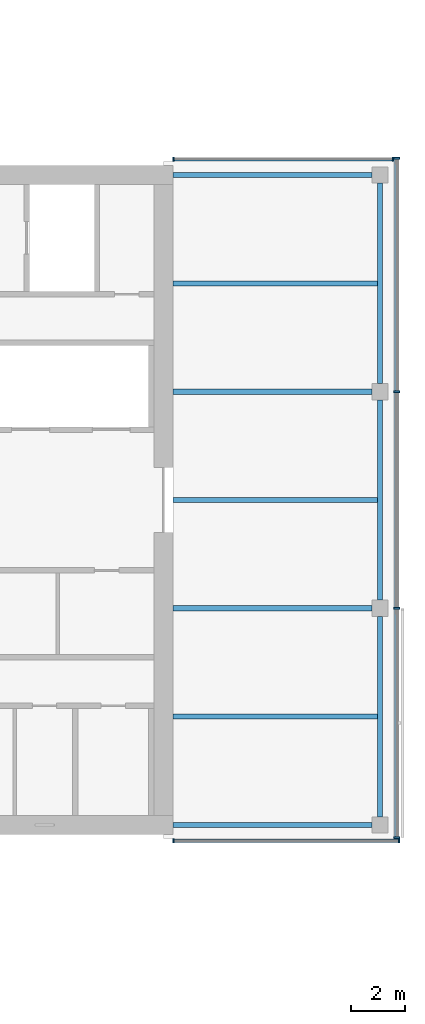
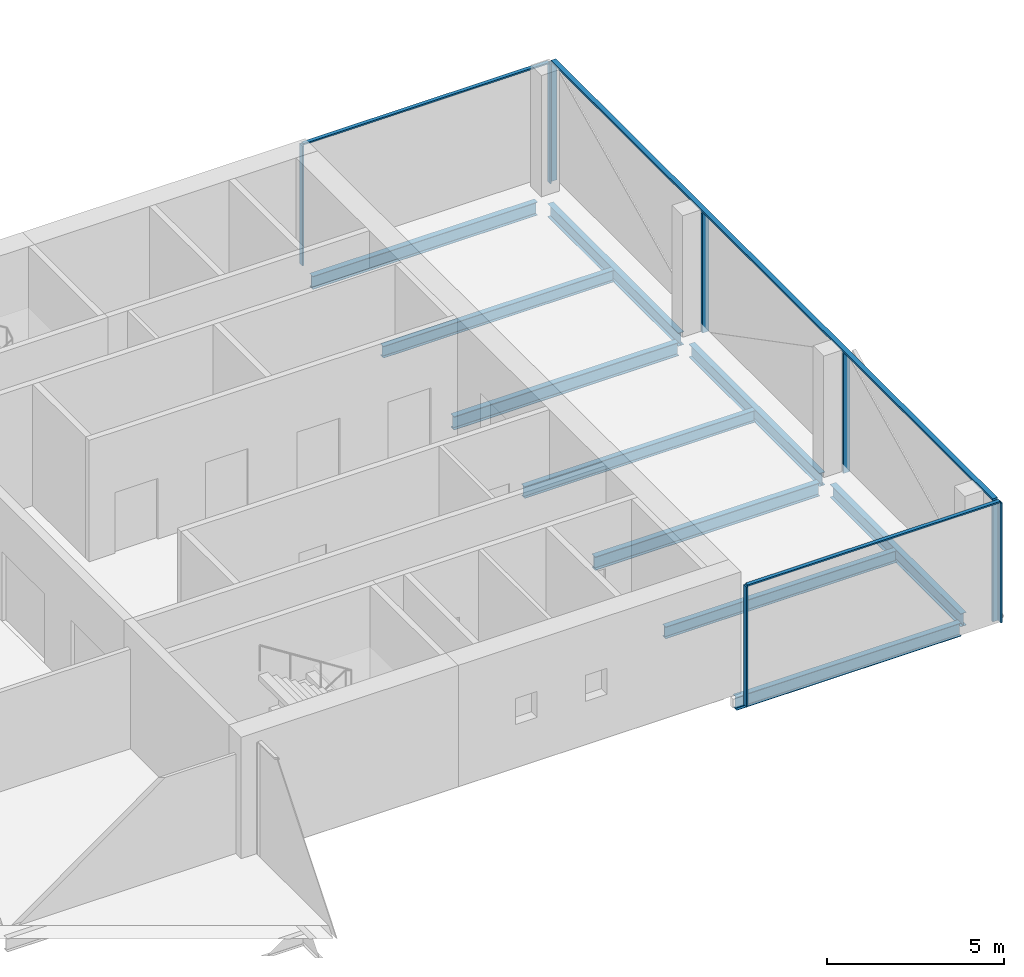
# One storey, part 11 of 22: 11 members, 10 beams, 3 elements without a shape of their own.
"""IFC4 building model written with IfcOpenShell, lengths in metres."""

from ifc_helpers import new_model, si_unit, direction, frame, origin, origin_2d, place, context, subcontext, project, spatial, rectangle, i_section, extrude, material, material_profile, profile_set, type_object, element, aggregate, save


model = new_model("IFC4")

# Units and contexts
model_context = context("Model", 3, precision=1e-05, world=origin(), true_north=direction((0.0, 1.0)))
body_context = subcontext(model_context, "Body", "Model", "MODEL_VIEW")
ifc_project = project(units=[si_unit("LENGTHUNIT", "METRE"), si_unit("AREAUNIT", "SQUARE_METRE"), si_unit("VOLUMEUNIT", "CUBIC_METRE"), si_unit("PLANEANGLEUNIT", "RADIAN"), si_unit("MASSUNIT", "GRAM", prefix="KILO")], contexts=[model_context])

# Site, building, storey
site_placement = place(None, origin())
site = spatial("IfcSite", under=ifc_project, at=site_placement, CompositionType="ELEMENT")
building_placement = place(site_placement, origin())
building = spatial("IfcBuilding", under=site, at=building_placement, Name="Crosswind Convention Tower", CompositionType="ELEMENT")
storey_placement = place(building_placement, frame((0.0, 0.0, 116.89990234375)))
storey = spatial("IfcBuildingStorey", under=building, at=storey_placement, Name="L23", CompositionType="ELEMENT", Elevation=116.89990234375)

# Beams
ifc_material_1 = material(Name="Steel S355", Category="steel")
ifc_material_profile_1 = material_profile(ifc_material_1, i_section(OverallWidth=0.18994140625, OverallDepth=0.45361328125, WebThickness=0.008544921875, FlangeThickness=0.0126953125, FilletRadius=0.01025390625, at=origin_2d()), Name="UB 457x191x67")
ifc_profile_set_1 = profile_set([ifc_material_profile_1], Name="Steel S355")
beam_type_1 = type_object("IfcBeamType", Name="Edge beam UB 457x191x67", PredefinedType="SPANDREL", material=ifc_profile_set_1)
for number, where, z_axis, x_axis, name in (
    (1, (153.35009765625, 88.0, -0.526611328125), (1.0, 0.0, 0.0), (0.0, 1.0, 0.0), "B16 L23 edge beam 20"),
    (2, (153.35009765625, 112.0, -0.526611328125), (1.0, 0.0, 0.0), (0.0, 1.0, 0.0), "B16 L23 edge beam 21"),
):
    element("IfcBeam", number, at=place(storey_placement, frame(where, z_axis=z_axis, x_axis=x_axis)), inside=storey, type_object=beam_type_1, Name=name, PredefinedType="SPANDREL", context=body_context, shape_type="SweptSolid", body=[
        extrude(i_section(OverallWidth=0.18994140625, OverallDepth=0.45361328125, WebThickness=0.008544921875, FlangeThickness=0.0126953125, FilletRadius=0.01025390625, at=origin_2d()), origin(), (0.0, 0.0, 1.0), 7.349853515625),
    ])
for number, where, z_axis, x_axis, name in (
    (3, (161.0, 88.300048828125, -0.526611328125), (0.0, 1.0, 0.0), (-1.0, 0.0, 0.0), "B16 L23 edge beam 22"),
    (4, (161.0, 96.300048828125, -0.526611328125), (0.0, 1.0, 0.0), (-1.0, 0.0, 0.0), "B16 L23 edge beam 23"),
    (5, (161.0, 104.300048828125, -0.526611328125), (0.0, 1.0, 0.0), (-1.0, 0.0, 0.0), "B16 L23 edge beam 24"),
):
    element("IfcBeam", number, at=place(storey_placement, frame(where, z_axis=z_axis, x_axis=x_axis)), inside=storey, type_object=beam_type_1, Name=name, PredefinedType="SPANDREL", context=body_context, shape_type="SweptSolid", body=[
        extrude(i_section(OverallWidth=0.18994140625, OverallDepth=0.45361328125, WebThickness=0.008544921875, FlangeThickness=0.0126953125, FilletRadius=0.01025390625, at=origin_2d()), origin(), (0.0, 0.0, 1.0), 7.39990234375),
    ])
ifc_material_profile_2 = material_profile(ifc_material_1, i_section(OverallWidth=0.19189453125, OverallDepth=0.463623046875, WebThickness=0.010498046875, FlangeThickness=0.017578125, FilletRadius=0.01025390625, at=origin_2d()), Name="UB 457x191x90")
ifc_profile_set_2 = profile_set([ifc_material_profile_2], Name="Steel S355")
beam_type_2 = type_object("IfcBeamType", Name="Girder at core wall UB 457x191x90", PredefinedType="BEAM", material=ifc_profile_set_2)
for number, where, z_axis, x_axis, name in (
    (6, (153.35009765625, 96.0, -0.53173828125), (1.0, 0.0, 0.0), (0.0, 1.0, 0.0), "B24 L23 girder at core wall 11"),
    (7, (153.35009765625, 104.0, -0.53173828125), (1.0, 0.0, 0.0), (0.0, 1.0, 0.0), "B24 L23 girder at core wall 12"),
):
    element("IfcBeam", number, at=place(storey_placement, frame(where, z_axis=z_axis, x_axis=x_axis)), inside=storey, type_object=beam_type_2, Name=name, PredefinedType="BEAM", context=body_context, shape_type="SweptSolid", body=[
        extrude(i_section(OverallWidth=0.19189453125, OverallDepth=0.463623046875, WebThickness=0.010498046875, FlangeThickness=0.017578125, FilletRadius=0.01025390625, at=origin_2d()), origin(), (0.0, 0.0, 1.0), 7.349853515625),
    ])

# Curtain wall, members
ifc_material_2 = material(Name="Aluminium unitised curtain wall", Category="aluminium")
curtain_wall_type_1 = type_object("IfcCurtainWallType", Name="CORE END SLOT WALL 160", PredefinedType="USERDEFINED", material=ifc_material_2)
curtain_wall_1_placement = place(storey_placement, origin())
curtain_wall_1 = element("IfcCurtainWall", 8, at=curtain_wall_1_placement, inside=storey, type_object=curtain_wall_type_1, Name="CW6 L23 E-N.1-1 slot", ObjectType="UNITISED", PredefinedType="USERDEFINED")
ifc_material_3 = material(Name="Aluminium mullion", Category="aluminium")
ifc_material_profile_3 = material_profile(ifc_material_3, rectangle(XDim=0.159912109375, YDim=0.050048828125, at=origin_2d()), Name="AL 160X50")
ifc_profile_set_3 = profile_set([ifc_material_profile_3], Name="Aluminium mullion")
member_type_1 = type_object("IfcMemberType", Name="MULLION 50X160", PredefinedType="MULLION", material=ifc_profile_set_3)
member_1_placement = place(storey_placement, frame((161.47509765625, 112.580078125, -0.2998046875), z_axis=(0.0, 0.0, 1.0), x_axis=(0.0, 1.0, 0.0)))
member_1 = element("IfcMember", 9, at=member_1_placement, type_object=member_type_1, Name="CW6 mullion 1", PredefinedType="MULLION", context=body_context, shape_type="SweptSolid", body=[
    extrude(rectangle(XDim=0.159912109375, YDim=0.050048828125, at=origin_2d()), origin(), (0.0, 0.0, 1.0), 4.14990234375),
])
member_2_placement = place(storey_placement, frame((153.375, 112.580078125, -0.2998046875), z_axis=(0.0, 0.0, 1.0), x_axis=(0.0, 1.0, 0.0)))
member_2 = element("IfcMember", 10, at=member_2_placement, type_object=member_type_1, Name="CW6 mullion 2", PredefinedType="MULLION", context=body_context, shape_type="SweptSolid", body=[
    extrude(rectangle(XDim=0.159912109375, YDim=0.050048828125, at=origin_2d()), origin(), (0.0, 0.0, 1.0), 4.14990234375),
])

curtain_wall_2_placement = place(storey_placement, origin())
curtain_wall_2 = element("IfcCurtainWall", 11, at=curtain_wall_2_placement, inside=storey, type_object=curtain_wall_type_1, Name="CW6 L23 E-S.2-1 slot", ObjectType="UNITISED", PredefinedType="USERDEFINED")
member_3_placement = place(storey_placement, frame((153.375, 87.419921875, -0.2998046875), z_axis=(0.0, 0.0, 1.0), x_axis=(0.0, -1.0, 0.0)))
member_3 = element("IfcMember", 12, at=member_3_placement, type_object=member_type_1, Name="CW6 mullion 1", PredefinedType="MULLION", context=body_context, shape_type="SweptSolid", body=[
    extrude(rectangle(XDim=0.159912109375, YDim=0.050048828125, at=origin_2d()), origin(), (0.0, 0.0, 1.0), 4.14990234375),
])
member_4_placement = place(storey_placement, frame((161.695068359375, 87.419921875, -0.2998046875), z_axis=(0.0, 0.0, 1.0), x_axis=(0.0, -1.0, 0.0)))
member_4 = element("IfcMember", 13, at=member_4_placement, type_object=member_type_1, Name="CW6 mullion 2", PredefinedType="MULLION", context=body_context, shape_type="SweptSolid", body=[
    extrude(rectangle(XDim=0.159912109375, YDim=0.050048828125, at=origin_2d()), origin(), (0.0, 0.0, 1.0), 4.14990234375),
])

curtain_wall_type_2 = type_object("IfcCurtainWallType", Name="OFFICE UNITISED WALL 220", PredefinedType="USERDEFINED", material=ifc_material_2)
curtain_wall_3_placement = place(storey_placement, origin())
curtain_wall_3 = element("IfcCurtainWall", 14, at=curtain_wall_3_placement, inside=storey, type_object=curtain_wall_type_2, Name="CW3 L23 E-TIP 1", ObjectType="UNITISED", PredefinedType="USERDEFINED")
ifc_material_profile_4 = material_profile(ifc_material_3, rectangle(XDim=0.219970703125, YDim=0.070068359375, at=origin_2d()), Name="AL 220X70")
ifc_profile_set_4 = profile_set([ifc_material_profile_4], Name="Aluminium mullion")
member_type_2 = type_object("IfcMemberType", Name="MULLION 70X220", PredefinedType="MULLION", material=ifc_profile_set_4)
member_5_placement = place(storey_placement, frame((161.610107421875, 87.534912109375, -0.2998046875), z_axis=(0.0, 0.0, 1.0), x_axis=(1.0, 0.0, 0.0)))
member_5 = element("IfcMember", 15, at=member_5_placement, type_object=member_type_2, Name="CW3 mullion 1", PredefinedType="MULLION", context=body_context, shape_type="SweptSolid", body=[
    extrude(rectangle(XDim=0.219970703125, YDim=0.070068359375, at=origin_2d()), origin(), (0.0, 0.0, 1.0), 4.1298828125),
])
member_6_placement = place(storey_placement, frame((161.610107421875, 96.0, -0.2998046875), z_axis=(0.0, 0.0, 1.0), x_axis=(1.0, 0.0, 0.0)))
member_6 = element("IfcMember", 16, at=member_6_placement, type_object=member_type_2, Name="CW3 mullion 2", PredefinedType="MULLION", context=body_context, shape_type="SweptSolid", body=[
    extrude(rectangle(XDim=0.219970703125, YDim=0.070068359375, at=origin_2d()), origin(), (0.0, 0.0, 1.0), 4.1298828125),
])
member_7_placement = place(storey_placement, frame((161.610107421875, 104.0, -0.2998046875), z_axis=(0.0, 0.0, 1.0), x_axis=(1.0, 0.0, 0.0)))
member_7 = element("IfcMember", 17, at=member_7_placement, type_object=member_type_2, Name="CW3 mullion 3", PredefinedType="MULLION", context=body_context, shape_type="SweptSolid", body=[
    extrude(rectangle(XDim=0.219970703125, YDim=0.070068359375, at=origin_2d()), origin(), (0.0, 0.0, 1.0), 4.1298828125),
])
member_8_placement = place(storey_placement, frame((161.610107421875, 112.625, -0.2998046875), z_axis=(0.0, 0.0, 1.0), x_axis=(1.0, 0.0, 0.0)))
member_8 = element("IfcMember", 18, at=member_8_placement, type_object=member_type_2, Name="CW3 mullion 4", PredefinedType="MULLION", context=body_context, shape_type="SweptSolid", body=[
    extrude(rectangle(XDim=0.219970703125, YDim=0.070068359375, at=origin_2d()), origin(), (0.0, 0.0, 1.0), 4.1298828125),
])

# Beams
ifc_material_profile_5 = material_profile(ifc_material_1, i_section(OverallWidth=0.177734375, OverallDepth=0.406494140625, WebThickness=0.0078125, FlangeThickness=0.0126953125, FilletRadius=0.01025390625, at=origin_2d()), Name="UB 406x178x60")
ifc_profile_set_5 = profile_set([ifc_material_profile_5], Name="Steel S355")
beam_type_3 = type_object("IfcBeamType", Name="Secondary beam UB 406x178x60", PredefinedType="JOIST", material=ifc_profile_set_5)
for number, where, z_axis, x_axis, name in (
    (19, (153.35009765625, 92.0, -0.503173828125), (1.0, 0.0, 0.0), (0.0, 1.0, 0.0), "B10 L23 secondary beam 25"),
    (20, (153.35009765625, 100.0, -0.503173828125), (1.0, 0.0, 0.0), (0.0, 1.0, 0.0), "B10 L23 secondary beam 26"),
    (21, (153.35009765625, 108.0, -0.503173828125), (1.0, 0.0, 0.0), (0.0, 1.0, 0.0), "B10 L23 secondary beam 27"),
):
    element("IfcBeam", number, at=place(storey_placement, frame(where, z_axis=z_axis, x_axis=x_axis)), inside=storey, type_object=beam_type_3, Name=name, PredefinedType="JOIST", context=body_context, shape_type="SweptSolid", body=[
        extrude(i_section(OverallWidth=0.177734375, OverallDepth=0.406494140625, WebThickness=0.0078125, FlangeThickness=0.0126953125, FilletRadius=0.01025390625, at=origin_2d()), origin(), (0.0, 0.0, 1.0), 7.554931640625),
    ])

# Member
ifc_material_4 = material(Name="Aluminium transom", Category="aluminium")
ifc_material_profile_6 = material_profile(ifc_material_4, rectangle(XDim=0.1201171875, YDim=0.050048828125, at=origin_2d()), Name="AL 120X50")
ifc_profile_set_6 = profile_set([ifc_material_profile_6], Name="Aluminium transom")
member_type_3 = type_object("IfcMemberType", Name="TRANSOM 50X120", PredefinedType="USERDEFINED", material=ifc_profile_set_6)
member_9_placement = place(storey_placement, frame((161.449951171875, 112.580078125, 3.875), z_axis=(-1.0, 0.0, 0.0), x_axis=(0.0, -1.0, 0.0)))
member_9 = element("IfcMember", 22, at=member_9_placement, type_object=member_type_3, Name="CW6 transom", ObjectType="TRANSOM", PredefinedType="USERDEFINED", context=body_context, shape_type="SweptSolid", body=[
    extrude(rectangle(XDim=0.1201171875, YDim=0.050048828125, at=origin_2d()), origin(), (0.0, 0.0, 1.0), 8.050048828125),
])

aggregate(curtain_wall_1, [member_1, member_2, member_9])

member_10_placement = place(storey_placement, frame((153.39990234375, 87.419921875, 3.875), z_axis=(1.0, 0.0, 0.0), x_axis=(0.0, 1.0, 0.0)))
member_10 = element("IfcMember", 23, at=member_10_placement, type_object=member_type_3, Name="CW6 transom", ObjectType="TRANSOM", PredefinedType="USERDEFINED", context=body_context, shape_type="SweptSolid", body=[
    extrude(rectangle(XDim=0.1201171875, YDim=0.050048828125, at=origin_2d()), origin(), (0.0, 0.0, 1.0), 8.27001953125),
])

aggregate(curtain_wall_2, [member_3, member_4, member_10])

ifc_material_profile_7 = material_profile(ifc_material_4, rectangle(XDim=0.159912109375, YDim=0.070068359375, at=origin_2d()), Name="AL 160X70")
ifc_profile_set_7 = profile_set([ifc_material_profile_7], Name="Aluminium transom")
member_type_4 = type_object("IfcMemberType", Name="TRANSOM 70X160", PredefinedType="USERDEFINED", material=ifc_profile_set_7)
member_11_placement = place(storey_placement, frame((161.610107421875, 87.570068359375, 3.864990234375), z_axis=(0.0, 1.0, 0.0), x_axis=(-1.0, 0.0, 0.0)))
member_11 = element("IfcMember", 24, at=member_11_placement, type_object=member_type_4, Name="CW3 transom", ObjectType="TRANSOM", PredefinedType="USERDEFINED", context=body_context, shape_type="SweptSolid", body=[
    extrude(rectangle(XDim=0.159912109375, YDim=0.070068359375, at=origin_2d()), origin(), (0.0, 0.0, 1.0), 25.02001953125),
])

aggregate(curtain_wall_3, [member_5, member_6, member_7, member_8, member_11])

save(model, "model.ifc")
